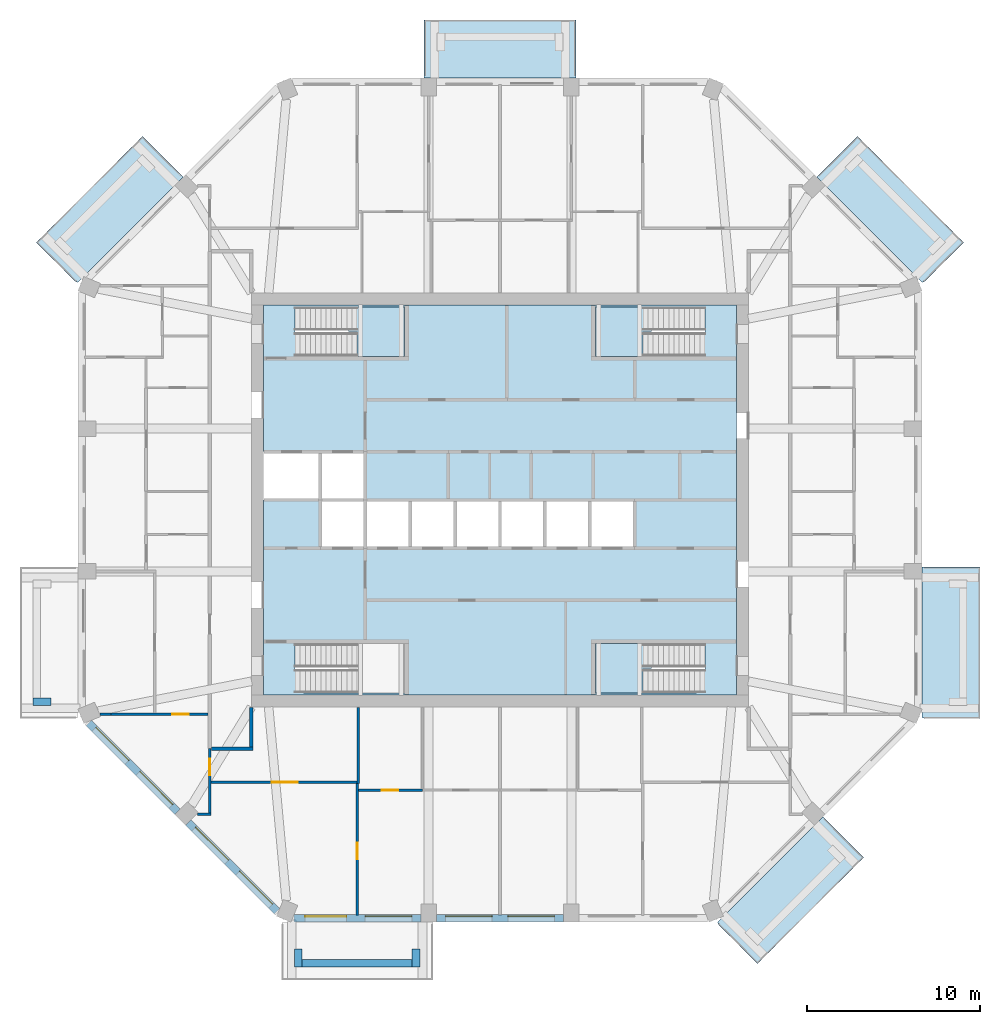
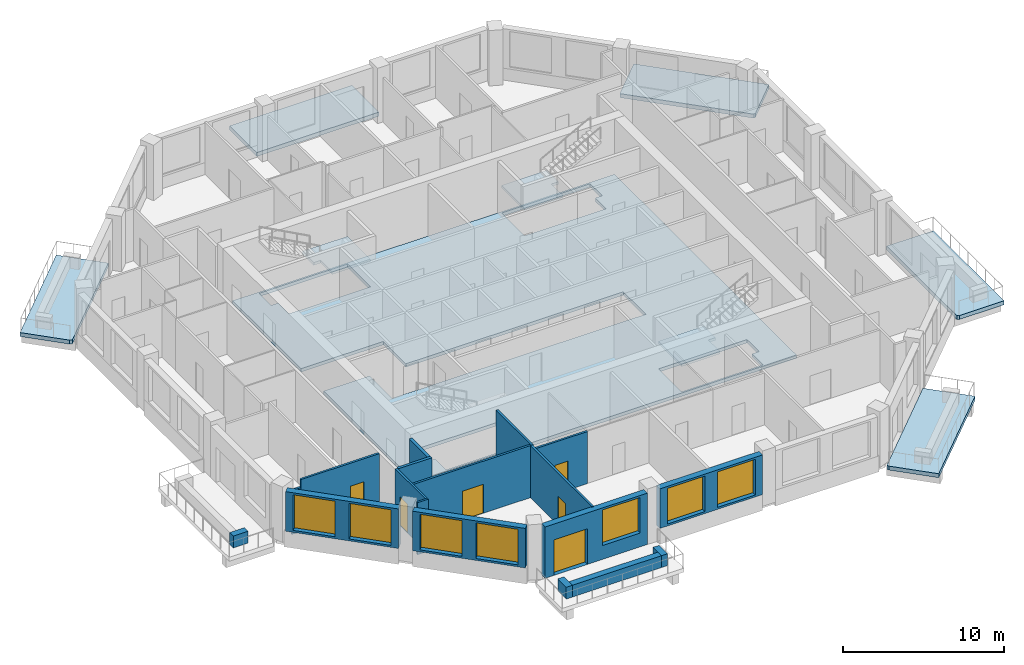
# One storey, part 2 of 10: 18 walls, 9 slabs, 7 windows, 6 doors, 13 openings, 3 elements without a shape of their own.
"""IFC4 building model written with IfcOpenShell, lengths in metres."""

import ifcopenshell
import ifcopenshell.guid

model = None  # the IFC model being written
_history = None  # IfcOwnerHistory: only IFC2X3 demands one
_inside = {}  # id of a spatial element -> (the spatial element, [elements in it])
_under = {}  # id of a project, library or spatial element -> (it, [spatial elements below it])
_declared = {}  # id of a project -> (the project, [libraries it declares])
_typed = {}  # id of a type object -> (the type object, [elements of that type])
_made_of = {}  # id of a material, layer set ... -> (it, [elements and type objects made of it])


def new_model(schema):
    """Start an empty IFC model of exactly this schema.

    Asked for "IFC4X3", IfcOpenShell would pick the latest addendum, in which some entities
    have other attributes; the version numbers below select the first issue.
    IFC2X3 requires an IfcOwnerHistory on every rooted entity: one is made here for all.
    """
    global model, _history
    if schema == "IFC4X3":
        model = ifcopenshell.file(schema_version=(4, 3, 0, 0))
    else:
        model = ifcopenshell.file(schema=schema)
    _inside.clear()
    _under.clear()
    _declared.clear()
    _typed.clear()
    _made_of.clear()
    _history = None
    if model.schema == "IFC2X3":
        org = make("IfcOrganization", Name="unknown")
        user = make(
            "IfcPersonAndOrganization",
            ThePerson=make("IfcPerson", FamilyName="unknown"),
            TheOrganization=org,
        )
        app = make(
            "IfcApplication",
            ApplicationDeveloper=org,
            Version="unknown",
            ApplicationFullName="unknown",
            ApplicationIdentifier="unknown",
        )
        _history = make(
            "IfcOwnerHistory",
            OwningUser=user,
            OwningApplication=app,
            ChangeAction="ADDED",
            CreationDate=0,
        )
    return model


def make(cls, **values):
    """One entity of the class cls with the attributes given. An attribute that is None is left unset."""
    return model.create_entity(
        cls, **{name: value for name, value in values.items() if value is not None}
    )


def rooted(cls, **values):
    """An entity with a GlobalId (a new one), such as an element, a storey or a relation."""
    return make(cls, GlobalId=ifcopenshell.guid.new(), OwnerHistory=_history, **values)


def si_unit(unit_type, name, prefix=None):
    """IfcSIUnit, for example si_unit("LENGTHUNIT", "METRE", prefix="MILLI")."""
    return make("IfcSIUnit", UnitType=unit_type, Prefix=prefix, Name=name)


def assignment(units):
    """IfcUnitAssignment: the units of a project."""
    return None if units is None else make("IfcUnitAssignment", Units=units)


def point(xyz):
    """IfcCartesianPoint."""
    return None if xyz is None else make("IfcCartesianPoint", Coordinates=xyz)


def direction(xyz):
    """IfcDirection."""
    return None if xyz is None else make("IfcDirection", DirectionRatios=xyz)


def frame(location, z_axis=None, x_axis=None):
    """IfcAxis2Placement3D, a coordinate frame: its origin and axes. An axis left out is left unset."""
    return make(
        "IfcAxis2Placement3D",
        Location=point(location),
        Axis=direction(z_axis),
        RefDirection=direction(x_axis),
    )


def frame_2d(location, x_axis=None):
    """IfcAxis2Placement2D, a coordinate frame in the plane: its origin and x axis."""
    return make(
        "IfcAxis2Placement2D", Location=point(location), RefDirection=direction(x_axis)
    )


def origin():
    """The frame at (0, 0, 0) with its axes left unset."""
    return frame((0.0, 0.0, 0.0))


def place(relative_to, where):
    """IfcLocalPlacement: puts the frame where relative to a parent placement (None: the world)."""
    return make(
        "IfcLocalPlacement", PlacementRelTo=relative_to, RelativePlacement=where
    )


def context(
    kind, dimensions, precision=None, world=None, true_north=None, identifier=None
):
    """IfcGeometricRepresentationContext, for example the 3D "Model" context."""
    return make(
        "IfcGeometricRepresentationContext",
        ContextIdentifier=identifier,
        ContextType=kind,
        CoordinateSpaceDimension=dimensions,
        Precision=precision,
        WorldCoordinateSystem=world,
        TrueNorth=true_north,
    )


def subcontext(parent, identifier, kind, view, scale=None):
    """IfcGeometricRepresentationSubContext, for example "Body" below "Model"."""
    return make(
        "IfcGeometricRepresentationSubContext",
        ContextIdentifier=identifier,
        ContextType=kind,
        ParentContext=parent,
        TargetScale=scale,
        TargetView=view,
    )


def project(units=None, contexts=None):
    """IfcProject with its units and contexts."""
    return rooted(
        "IfcProject",
        Name="project",
        RepresentationContexts=contexts,
        UnitsInContext=assignment(units),
    )


def spatial(cls, under=None, at=None, **own):
    """A site, building, storey or space (cls), placed at a placement, below another one or the project."""
    s = rooted(cls, ObjectPlacement=at, **own)
    if under is not None:
        _under.setdefault(under.id(), (under, []))[1].append(s)
    return s


def polyline(points):
    """IfcPolyline through the points."""
    return make("IfcPolyline", Points=[point(p) for p in points])


def profile(cls, at=None, kind="AREA", **sizes):
    """A parametric profile (cls). Its sizes go by their IFC names, for example OverallWidth=200.0."""
    return make(cls, ProfileType=kind, Position=at, **sizes)


def rectangle(**sizes):
    """IfcRectangleProfileDef."""
    return profile("IfcRectangleProfileDef", **sizes)


def outline(outer, holes=None, kind="AREA"):
    """IfcArbitraryClosedProfileDef: a profile drawn as a closed curve; with holes, ...WithVoids."""
    if holes is None:
        return make("IfcArbitraryClosedProfileDef", ProfileType=kind, OuterCurve=outer)
    return make(
        "IfcArbitraryProfileDefWithVoids",
        ProfileType=kind,
        OuterCurve=outer,
        InnerCurves=holes,
    )


def extrude(swept, where, along, depth):
    """IfcExtrudedAreaSolid: the profile swept, set in the frame where, extruded along a direction by depth."""
    return make(
        "IfcExtrudedAreaSolid",
        SweptArea=swept,
        Position=where,
        ExtrudedDirection=direction(along),
        Depth=depth,
    )


def shape(context_of_items, identifier, shape_type, items):
    """IfcShapeRepresentation: the items that make up one representation, for example the "Body"."""
    return make(
        "IfcShapeRepresentation",
        ContextOfItems=context_of_items,
        RepresentationIdentifier=identifier,
        RepresentationType=shape_type,
        Items=items,
    )


def material(Name=None, Category=None):
    """IfcMaterial."""
    return make("IfcMaterial", Name=Name, Category=Category)


def layer(
    of_material, thickness, ventilated=None, Name=None, Category=None, Priority=None
):
    """IfcMaterialLayer: one layer of a wall or slab, of a material (None: an air gap)."""
    return make(
        "IfcMaterialLayer",
        Material=of_material,
        LayerThickness=thickness,
        IsVentilated=ventilated,
        Name=Name,
        Category=Category,
        Priority=Priority,
    )


def layer_set(layers, Name=None):
    """IfcMaterialLayerSet."""
    return make("IfcMaterialLayerSet", MaterialLayers=layers, LayerSetName=Name)


def made_of(thing, what):
    """Note that an element or type object is made of a material, layer set ...; save() writes the relation."""
    if what is not None:
        _made_of.setdefault(what.id(), (what, []))[1].append(thing)
    return thing


def type_object(cls, material=None, **own):
    """A type object (cls), such as IfcWallType, which elements share."""
    return made_of(rooted(cls, **own), material)


def element(
    cls,
    number,
    at=None,
    inside=None,
    cuts=None,
    type_object=None,
    material=None,
    context=None,
    identifier="Body",
    shape_type=None,
    held_by="IfcProductDefinitionShape",
    body=None,
    shapes=None,
    **own,
):
    """One element of the class cls, such as IfcWall. Its Tag is "e" and its number.

    at: its placement. inside: the storey or other place that contains it. cuts: it is an
    opening in that element (IfcRelVoidsElement). A single representation is given by context,
    identifier, shape_type and body (its items); several are given by shapes. held_by: the class
    of the entity that holds the representations. save() writes the other relations.
    """
    e = rooted(cls, Tag="e%d" % number, ObjectPlacement=at, **own)
    if body is not None:
        shapes = [shape(context, identifier, shape_type, body)]
    if shapes is not None:
        e.Representation = make(held_by, Representations=shapes)
    if inside is not None:
        _inside.setdefault(inside.id(), (inside, []))[1].append(e)
    if cuts is not None:
        rooted(
            "IfcRelVoidsElement", RelatingBuildingElement=cuts, RelatedOpeningElement=e
        )
    if type_object is not None:
        _typed.setdefault(type_object.id(), (type_object, []))[1].append(e)
    return made_of(e, material)


def fill(opening, filler):
    """IfcRelFillsElement: the door or window that sits in an opening."""
    return rooted(
        "IfcRelFillsElement",
        RelatingOpeningElement=opening,
        RelatedBuildingElement=filler,
    )


def aggregate(whole, parts):
    """IfcRelAggregates: a whole, such as a stair, and the parts it consists of."""
    return rooted("IfcRelAggregates", RelatingObject=whole, RelatedObjects=parts)


def save(model, path):
    """Write the relations noted so far, then the file.

    IfcRelAggregates (storeys below a building ...), IfcRelContainedInSpatialStructure (elements
    in a storey), IfcRelDefinesByType, IfcRelAssociatesMaterial and IfcRelDeclares: one each for
    every whole, place, type object, material and project.
    """
    for whole, parts in _under.values():
        aggregate(whole, parts)
    for where, things in _inside.values():
        rooted(
            "IfcRelContainedInSpatialStructure",
            RelatedElements=things,
            RelatingStructure=where,
        )
    for kind, things in _typed.values():
        rooted("IfcRelDefinesByType", RelatedObjects=things, RelatingType=kind)
    for what, things in _made_of.values():
        rooted("IfcRelAssociatesMaterial", RelatedObjects=things, RelatingMaterial=what)
    for by, libraries in _declared.values():
        rooted("IfcRelDeclares", RelatingContext=by, RelatedDefinitions=libraries)
    model.write(path)


model = new_model("IFC4")

# Units and contexts
model_context = context("Model", 3, precision=1e-05, world=origin(), true_north=direction((0.0, 1.0)))
body_context = subcontext(model_context, "Body", "Model", "MODEL_VIEW")
ifc_project = project(units=[si_unit("LENGTHUNIT", "METRE"), si_unit("AREAUNIT", "SQUARE_METRE"), si_unit("VOLUMEUNIT", "CUBIC_METRE"), si_unit("PLANEANGLEUNIT", "RADIAN"), si_unit("MASSUNIT", "GRAM", prefix="KILO")], contexts=[model_context])

# Site, building, storey
site_placement = place(None, origin())
site = spatial("IfcSite", under=ifc_project, at=site_placement, CompositionType="ELEMENT")
building_placement = place(site_placement, origin())
building = spatial("IfcBuilding", under=site, at=building_placement, Name="Msitu Wima Residences", CompositionType="ELEMENT")
storey_placement = place(building_placement, frame((0.0, 0.0, 187.5)))
storey = spatial("IfcBuildingStorey", under=building, at=storey_placement, Name="L43", CompositionType="ELEMENT", Elevation=187.5)

# Slabs
ifc_material_1 = material(Name="Concrete C40/50", Category="concrete")
ifc_layer_1 = layer(ifc_material_1, 0.300048828125)
ifc_layer_set_1 = layer_set([ifc_layer_1], Name="Concrete C40/50")
slab_type_1 = type_object("IfcSlabType", Name="Balcony slab BS300", PredefinedType="FLOOR", material=ifc_layer_set_1)
slab_1_placement = place(storey_placement, frame((0.0, 0.0, -0.300048828125)))
element("IfcSlab", 1, at=slab_1_placement, inside=storey, type_object=slab_type_1, Name="Balcony E0 L43", PredefinedType="FLOOR", context=body_context, shape_type="SweptSolid", body=[
    extrude(outline(polyline([(24.449951171875, -12.111083984375), (24.449951171875, -12.111083984375), (24.449951171875, -4.587158203125), (24.449951171875, -4.587158203125), (24.449951171875, -3.88720703125), (27.800048828125, -3.88720703125), (27.800048828125, -12.661865234375), (24.603515625, -12.661865234375), (24.449951171875, -12.59814453125), (24.449951171875, -12.111083984375), (24.449951171875, -12.111083984375)])), origin(), (0.0, 0.0, 1.0), 0.300048828125),
])
slab_2_placement = place(storey_placement, frame((0.0, 0.0, -0.300048828125)))
element("IfcSlab", 2, at=slab_2_placement, inside=storey, type_object=slab_type_1, Name="Balcony NE0 L43", PredefinedType="FLOOR", context=body_context, shape_type="SweptSolid", body=[
    extrude(outline(polyline([(24.10546875, 12.942626953125), (24.10546875, 12.942626953125), (18.347412109375, 18.700927734375), (20.716064453125, 21.069580078125), (26.86376953125, 14.922119140625), (24.603515625, 12.661865234375), (24.449951171875, 12.59814453125), (24.10546875, 12.942626953125), (24.10546875, 12.942626953125)])), origin(), (0.0, 0.0, 1.0), 0.300048828125),
])
slab_3_placement = place(storey_placement, frame((0.0, 0.0, -0.300048828125)))
element("IfcSlab", 3, at=slab_3_placement, inside=storey, type_object=slab_type_1, Name="Balcony N1 L43", PredefinedType="FLOOR", context=body_context, shape_type="SweptSolid", body=[
    extrude(outline(polyline([(3.687255859375, 24.449951171875), (-3.687255859375, 24.449951171875), (-4.38720703125, 24.449951171875), (-4.38720703125, 27.800048828125), (4.38720703125, 27.800048828125), (4.38720703125, 24.449951171875), (3.687255859375, 24.449951171875)])), origin(), (0.0, 0.0, 1.0), 0.300048828125),
])
slab_4_placement = place(storey_placement, frame((0.0, 0.0, -0.300048828125)))
element("IfcSlab", 4, at=slab_4_placement, inside=storey, type_object=slab_type_1, Name="Balcony NW1 L43", PredefinedType="FLOOR", context=body_context, shape_type="SweptSolid", body=[
    extrude(outline(polyline([(-24.10546875, 12.942626953125), (-24.10546875, 12.942626953125), (-24.449951171875, 12.59814453125), (-24.603515625, 12.661865234375), (-26.86376953125, 14.922119140625), (-20.716064453125, 21.069580078125), (-18.347412109375, 18.700927734375), (-24.10546875, 12.942626953125), (-24.10546875, 12.942626953125)])), origin(), (0.0, 0.0, 1.0), 0.300048828125),
])
slab_5_placement = place(storey_placement, frame((0.0, 0.0, -0.300048828125)))
element("IfcSlab", 5, at=slab_5_placement, inside=storey, type_object=slab_type_1, Name="Balcony SE0 L43", PredefinedType="FLOOR", context=body_context, shape_type="SweptSolid", body=[
    extrude(outline(polyline([(12.942626953125, -24.10546875), (12.942626953125, -24.10546875), (18.700927734375, -18.347412109375), (21.069580078125, -20.716064453125), (14.922119140625, -26.86376953125), (12.661865234375, -24.603515625), (12.59814453125, -24.449951171875), (12.942626953125, -24.10546875), (12.942626953125, -24.10546875)])), origin(), (0.0, 0.0, 1.0), 0.300048828125),
])
ifc_layer_2 = layer(ifc_material_1, 0.25)
ifc_layer_set_2 = layer_set([ifc_layer_2], Name="Concrete C40/50")
slab_type_2 = type_object("IfcSlabType", Name="Core floor CF250", PredefinedType="FLOOR", material=ifc_layer_set_2)
slab_6_placement = place(storey_placement, frame((0.0, 0.0, -0.25)))
element("IfcSlab", 6, at=slab_6_placement, inside=storey, type_object=slab_type_2, Name="Core floor", PredefinedType="FLOOR", context=body_context, shape_type="SweptSolid", body=[
    extrude(outline(polyline([(-13.699951171875, 11.300048828125), (-13.699951171875, 2.800048828125), (-10.39990234375, 2.800048828125), (-7.800048828125, 2.800048828125), (-7.800048828125, 0.0), (-5.199951171875, 0.0), (-2.60009765625, 0.0), (0.0, 0.0), (2.60009765625, 0.0), (5.199951171875, 0.0), (7.800048828125, 0.0), (7.800048828125, -2.800048828125), (5.199951171875, -2.800048828125), (2.60009765625, -2.800048828125), (0.0, -2.800048828125), (-2.60009765625, -2.800048828125), (-5.199951171875, -2.800048828125), (-7.800048828125, -2.800048828125), (-10.39990234375, -2.800048828125), (-10.39990234375, 0.0), (-13.699951171875, 0.0), (-13.699951171875, -11.300048828125), (13.699951171875, -11.300048828125), (13.699951171875, 11.300048828125), (-13.699951171875, 11.300048828125)]), holes=[polyline([(-11.375, -11.175048828125), (-11.375, -9.824951171875), (-11.87451171875, -9.824951171875), (-11.87451171875, -8.324951171875), (-5.52490234375, -8.324951171875), (-5.52490234375, -11.175048828125), (-11.375, -11.175048828125)]), polyline([(-11.375, 8.324951171875), (-11.375, 9.675048828125), (-11.87451171875, 9.675048828125), (-11.87451171875, 11.175048828125), (-5.52490234375, 11.175048828125), (-5.52490234375, 8.324951171875), (-11.375, 8.324951171875)]), polyline([(11.375, -9.824951171875), (11.375, -11.175048828125), (5.52490234375, -11.175048828125), (5.52490234375, -8.324951171875), (11.87451171875, -8.324951171875), (11.87451171875, -9.824951171875), (11.375, -9.824951171875)]), polyline([(11.375, 9.675048828125), (11.375, 8.324951171875), (5.52490234375, 8.324951171875), (5.52490234375, 11.175048828125), (11.87451171875, 11.175048828125), (11.87451171875, 9.675048828125), (11.375, 9.675048828125)])]), origin(), (0.0, 0.0, 1.0), 0.25),
])

# Stair, slab
stair_type = type_object("IfcStairType", Name="Exit stair ES1615-135", PredefinedType="HALF_TURN_STAIR", material=ifc_material_1)
stair_1_placement = place(storey_placement, origin())
stair_1 = element("IfcStair", 7, at=stair_1_placement, inside=storey, type_object=stair_type, Name="Exit stair 1", PredefinedType="HALF_TURN_STAIR")
ifc_layer_3 = layer(ifc_material_1, 0.199951171875)
ifc_layer_set_3 = layer_set([ifc_layer_3], Name="Concrete C40/50")
slab_type_3 = type_object("IfcSlabType", Name="Stair landing SL200", PredefinedType="LANDING", material=ifc_layer_set_3)
slab_7_placement = place(storey_placement, frame((0.0, 0.0, 1.89990234375)))
slab_7 = element("IfcSlab", 8, at=slab_7_placement, type_object=slab_type_3, Name="S1 landing 1", PredefinedType="LANDING", context=body_context, shape_type="SweptSolid", body=[
    extrude(outline(polyline([(-5.52490234375, 8.324951171875), (-8.275390625, 8.324951171875), (-8.275390625, 9.75), (-8.77490234375, 9.75), (-8.77490234375, 11.175048828125), (-5.52490234375, 11.175048828125), (-5.52490234375, 8.324951171875)])), origin(), (0.0, 0.0, 1.0), 0.2001953125),
])
aggregate(stair_1, [slab_7])

stair_2_placement = place(storey_placement, origin())
stair_2 = element("IfcStair", 9, at=stair_2_placement, inside=storey, type_object=stair_type, Name="Exit stair 3", PredefinedType="HALF_TURN_STAIR")
slab_8_placement = place(storey_placement, frame((0.0, 0.0, 1.89990234375)))
slab_8 = element("IfcSlab", 10, at=slab_8_placement, type_object=slab_type_3, Name="S3 landing 1", PredefinedType="LANDING", context=body_context, shape_type="SweptSolid", body=[
    extrude(outline(polyline([(5.52490234375, 8.324951171875), (8.275390625, 8.324951171875), (8.275390625, 9.75), (8.77490234375, 9.75), (8.77490234375, 11.175048828125), (5.52490234375, 11.175048828125), (5.52490234375, 8.324951171875)])), origin(), (0.0, 0.0, 1.0), 0.2001953125),
])
aggregate(stair_2, [slab_8])

stair_3_placement = place(storey_placement, origin())
stair_3 = element("IfcStair", 11, at=stair_3_placement, inside=storey, type_object=stair_type, Name="Exit stair 4", PredefinedType="HALF_TURN_STAIR")
slab_9_placement = place(storey_placement, frame((0.0, 0.0, 1.89990234375)))
slab_9 = element("IfcSlab", 12, at=slab_9_placement, type_object=slab_type_3, Name="S4 landing 1", PredefinedType="LANDING", context=body_context, shape_type="SweptSolid", body=[
    extrude(outline(polyline([(5.52490234375, -11.175048828125), (8.275390625, -11.175048828125), (8.275390625, -9.75), (8.77490234375, -9.75), (8.77490234375, -8.324951171875), (5.52490234375, -8.324951171875), (5.52490234375, -11.175048828125)])), origin(), (0.0, 0.0, 1.0), 0.2001953125),
])
aggregate(stair_3, [slab_9])

# Walls
ifc_material_2 = material(Name="Facing brick")
ifc_layer_4 = layer(ifc_material_2, 0.06494140625, Name="Facing brick")
ifc_layer_5 = layer(ifc_material_1, 0.156005859375, Name="Concrete C40/50")
ifc_material_3 = material(Name="Waterproofing membrane")
ifc_layer_6 = layer(ifc_material_3, 0.00390625, Name="Waterproofing membrane")
ifc_material_4 = material(Name="Planting soil and planting")
ifc_layer_7 = layer(ifc_material_4, 0.22509765625, Name="Planting soil and planting")
ifc_layer_set_4 = layer_set([ifc_layer_4, ifc_layer_5, ifc_layer_6, ifc_layer_7], Name="Concrete C40/50")
wall_type_1 = type_object("IfcWallType", Name="Balcony planter PLANTER PL450", PredefinedType="USERDEFINED", material=ifc_layer_set_4)
wall_1_placement = place(storey_placement, frame((-26.0, -11.686767578125, 0.0), z_axis=(0.0, 0.0, 1.0), x_axis=(-1.0, 0.0, 0.0)))
element("IfcWall", 13, at=wall_1_placement, inside=storey, type_object=wall_type_1, Name="Balcony planter W2 L43", ObjectType="PLANTER", PredefinedType="USERDEFINED", context=body_context, shape_type="SweptSolid", body=[
    extrude(rectangle(XDim=1.050048828125, YDim=0.449951171875, at=frame_2d((0.52490234375, 0.0))), origin(), (0.0, 0.0, 1.0), 0.89990234375),
])
wall_2_placement = place(storey_placement, frame((-11.461669921875, -26.824951171875, 0.0), z_axis=(0.0, 0.0, 1.0), x_axis=(1.0, 0.0, 0.0)))
element("IfcWall", 14, at=wall_2_placement, inside=storey, type_object=wall_type_1, Name="Balcony planter S0 L43", ObjectType="PLANTER", PredefinedType="USERDEFINED", context=body_context, shape_type="SweptSolid", body=[
    extrude(rectangle(XDim=6.37451171875, YDim=0.449951171875, at=frame_2d((3.187255859375, 0.0))), origin(), (0.0, 0.0, 1.0), 0.89990234375),
])
for number, where, z_axis, x_axis, name in (
    (15, (-11.686767578125, -26.0, 0.0), (0.0, 0.0, 1.0), (0.0, -1.0, 0.0), "Balcony planter S0 L43"),
    (16, (-4.8623046875, -26.0, 0.0), (0.0, 0.0, 1.0), (0.0, -1.0, 0.0), "Balcony planter S0 L43"),
):
    element("IfcWall", number, at=place(storey_placement, frame(where, z_axis=z_axis, x_axis=x_axis)), inside=storey, type_object=wall_type_1, Name=name, ObjectType="PLANTER", PredefinedType="USERDEFINED", context=body_context, shape_type="SweptSolid", body=[
        extrude(rectangle(XDim=1.050048828125, YDim=0.449951171875, at=frame_2d((0.52490234375, 0.0))), origin(), (0.0, 0.0, 1.0), 0.89990234375),
    ])

# Wall, openings, windows
ifc_material_5 = material(Name="Brick (red buff mix)", Category="masonry")
ifc_layer_8 = layer(ifc_material_5, 0.449951171875)
ifc_layer_set_5 = layer_set([ifc_layer_8], Name="Brick (red buff mix)")
wall_type_2 = type_object("IfcWallType", Name="Brick infill wall BW450", PredefinedType="SOLIDWALL", material=ifc_layer_set_5)
wall_3_placement = place(storey_placement, frame((-23.814697265625, -12.915283203125, 0.89990234375), z_axis=(0.0, 0.0, 1.0), x_axis=(0.707106781187, -0.707106781187, 0.0)))
wall_3 = element("IfcWall", 17, at=wall_3_placement, inside=storey, type_object=wall_type_2, Name="Brick infill wall L43 SW0", PredefinedType="SOLIDWALL", context=body_context, shape_type="SweptSolid", body=[
    extrude(rectangle(XDim=7.257080078125, YDim=0.449951171875, at=frame_2d((3.62841796875, 0.0))), origin(), (0.0, 0.0, 1.0), 3.0),
])
opening_1_placement = place(wall_3_placement, frame((0.478515625, 0.0, 0.14990234375)))
opening_1 = element("IfcOpeningElement", 18, at=opening_1_placement, cuts=wall_3, Name="Opening W43-45.025", PredefinedType="OPENING", context=body_context, shape_type="SweptSolid", body=[
    extrude(rectangle(XDim=2.699951171875, YDim=2.699951171875, at=frame_2d((1.35009765625, 1.35009765625))), frame((0.0, 0.23486328125, 0.0), z_axis=(0.0, -1.0, 0.0), x_axis=(1.0, 0.0, 0.0)), (0.0, 0.0, 1.0), 0.469970703125),
])
opening_2_placement = place(wall_3_placement, frame((4.07861328125, 0.0, 0.14990234375)))
opening_2 = element("IfcOpeningElement", 19, at=opening_2_placement, cuts=wall_3, Name="Opening W43-45.026", PredefinedType="OPENING", context=body_context, shape_type="SweptSolid", body=[
    extrude(rectangle(XDim=2.699951171875, YDim=2.699951171875, at=frame_2d((1.35009765625, 1.35009765625))), frame((0.0, 0.23486328125, 0.0), z_axis=(0.0, -1.0, 0.0), x_axis=(1.0, 0.0, 0.0)), (0.0, 0.0, 1.0), 0.469970703125),
])
ifc_material_6 = material(Name="Anodised aluminium, bronze finish, clear low-emissivity double glazing", Category="aluminium")
window_type = type_object("IfcWindowType", Name="Window W2700x2700", PartitioningType="DOUBLE_PANEL_VERTICAL", PredefinedType="WINDOW", material=ifc_material_6)
window_1_placement = place(opening_1_placement, origin())
window_1 = element("IfcWindow", 20, at=window_1_placement, inside=storey, type_object=window_type, Name="Window L43 SW0.1", OverallHeight=2.699951171875, OverallWidth=2.699951171875, PartitioningType="SINGLE_PANEL", PredefinedType="WINDOW", context=body_context, shape_type="SweptSolid", body=[
    extrude(rectangle(XDim=2.699951171875, YDim=2.699951171875, at=frame_2d((1.35009765625, 1.35009765625))), frame((0.0, 0.135009765625, 0.0), z_axis=(0.0, -1.0, 0.0), x_axis=(1.0, 0.0, 0.0)), (0.0, 0.0, 1.0), 0.06005859375),
])
fill(opening_1, window_1)
window_2_placement = place(opening_2_placement, origin())
window_2 = element("IfcWindow", 21, at=window_2_placement, inside=storey, type_object=window_type, Name="Window L43 SW0.2", OverallHeight=2.699951171875, OverallWidth=2.699951171875, PartitioningType="SINGLE_PANEL", PredefinedType="WINDOW", context=body_context, shape_type="SweptSolid", body=[
    extrude(rectangle(XDim=2.699951171875, YDim=2.699951171875, at=frame_2d((1.35009765625, 1.35009765625))), frame((0.0, 0.135009765625, 0.0), z_axis=(0.0, -1.0, 0.0), x_axis=(1.0, 0.0, 0.0)), (0.0, 0.0, 1.0), 0.06005859375),
])
fill(opening_2, window_2)

wall_4_placement = place(storey_placement, frame((-18.046875, -18.68310546875, 0.89990234375), z_axis=(0.0, 0.0, 1.0), x_axis=(0.707106781187, -0.707106781187, 0.0)))
wall_4 = element("IfcWall", 22, at=wall_4_placement, inside=storey, type_object=wall_type_2, Name="Brick infill wall L43 SW1", PredefinedType="SOLIDWALL", context=body_context, shape_type="SweptSolid", body=[
    extrude(rectangle(XDim=7.257080078125, YDim=0.449951171875, at=frame_2d((3.62841796875, 0.0))), origin(), (0.0, 0.0, 1.0), 3.0),
])
opening_3_placement = place(wall_4_placement, frame((0.478515625, 0.0, 0.14990234375)))
opening_3 = element("IfcOpeningElement", 23, at=opening_3_placement, cuts=wall_4, Name="Opening W43-45.027", PredefinedType="OPENING", context=body_context, shape_type="SweptSolid", body=[
    extrude(rectangle(XDim=2.699951171875, YDim=2.699951171875, at=frame_2d((1.35009765625, 1.35009765625))), frame((0.0, 0.23486328125, 0.0), z_axis=(0.0, -1.0, 0.0), x_axis=(1.0, 0.0, 0.0)), (0.0, 0.0, 1.0), 0.469970703125),
])
opening_4_placement = place(wall_4_placement, frame((4.07861328125, 0.0, 0.14990234375)))
opening_4 = element("IfcOpeningElement", 24, at=opening_4_placement, cuts=wall_4, Name="Opening W43-45.028", PredefinedType="OPENING", context=body_context, shape_type="SweptSolid", body=[
    extrude(rectangle(XDim=2.699951171875, YDim=2.699951171875, at=frame_2d((1.35009765625, 1.35009765625))), frame((0.0, 0.23486328125, 0.0), z_axis=(0.0, -1.0, 0.0), x_axis=(1.0, 0.0, 0.0)), (0.0, 0.0, 1.0), 0.469970703125),
])
window_3_placement = place(opening_3_placement, origin())
window_3 = element("IfcWindow", 25, at=window_3_placement, inside=storey, type_object=window_type, Name="Window L43 SW1.1", OverallHeight=2.699951171875, OverallWidth=2.699951171875, PartitioningType="SINGLE_PANEL", PredefinedType="WINDOW", context=body_context, shape_type="SweptSolid", body=[
    extrude(rectangle(XDim=2.699951171875, YDim=2.699951171875, at=frame_2d((1.35009765625, 1.35009765625))), frame((0.0, 0.135009765625, 0.0), z_axis=(0.0, -1.0, 0.0), x_axis=(1.0, 0.0, 0.0)), (0.0, 0.0, 1.0), 0.06005859375),
])
fill(opening_3, window_3)
window_4_placement = place(opening_4_placement, origin())
window_4 = element("IfcWindow", 26, at=window_4_placement, inside=storey, type_object=window_type, Name="Window L43 SW1.2", OverallHeight=2.699951171875, OverallWidth=2.699951171875, PartitioningType="SINGLE_PANEL", PredefinedType="WINDOW", context=body_context, shape_type="SweptSolid", body=[
    extrude(rectangle(XDim=2.699951171875, YDim=2.699951171875, at=frame_2d((1.35009765625, 1.35009765625))), frame((0.0, 0.135009765625, 0.0), z_axis=(0.0, -1.0, 0.0), x_axis=(1.0, 0.0, 0.0)), (0.0, 0.0, 1.0), 0.06005859375),
])
fill(opening_4, window_4)

# Wall, openings, door, window
wall_5_placement = place(storey_placement, frame((-11.9248046875, -24.22509765625, 0.0), z_axis=(0.0, 0.0, 1.0), x_axis=(1.0, 0.0, 0.0)))
wall_5 = element("IfcWall", 27, at=wall_5_placement, inside=storey, type_object=wall_type_2, Name="Brick infill wall L43 S0", PredefinedType="SOLIDWALL", context=body_context, shape_type="SweptSolid", body=[
    extrude(rectangle(XDim=7.337646484375, YDim=0.449951171875, at=frame_2d((3.6689453125, 0.0))), origin(), (0.0, 0.0, 1.0), 3.89990234375),
])
opening_5_placement = place(wall_5_placement, frame((0.63427734375, 0.0, 0.0)))
opening_5 = element("IfcOpeningElement", 28, at=opening_5_placement, cuts=wall_5, Name="Opening D43-45.005", PredefinedType="OPENING", context=body_context, shape_type="SweptSolid", body=[
    extrude(rectangle(XDim=2.39990234375, YDim=2.699951171875, at=frame_2d((1.199951171875, 1.35009765625))), frame((0.0, 0.23486328125, 0.0), z_axis=(0.0, -1.0, 0.0), x_axis=(1.0, 0.0, 0.0)), (0.0, 0.0, 1.0), 0.469970703125),
])
opening_6_placement = place(wall_5_placement, frame((4.11865234375, 0.0, 1.050048828125)))
opening_6 = element("IfcOpeningElement", 29, at=opening_6_placement, cuts=wall_5, Name="Opening W43-45.017", PredefinedType="OPENING", context=body_context, shape_type="SweptSolid", body=[
    extrude(rectangle(XDim=2.699951171875, YDim=2.699951171875, at=frame_2d((1.35009765625, 1.35009765625))), frame((0.0, 0.23486328125, 0.0), z_axis=(0.0, -1.0, 0.0), x_axis=(1.0, 0.0, 0.0)), (0.0, 0.0, 1.0), 0.469970703125),
])
door_type_1 = type_object("IfcDoorType", Name="Balcony door D2400x2700", OperationType="SLIDING_TO_LEFT", PredefinedType="DOOR", material=ifc_material_6)
door_1_placement = place(opening_5_placement, origin())
door_1 = element("IfcDoor", 30, at=door_1_placement, inside=storey, type_object=door_type_1, Name="Balcony door L43 S0", OperationType="SINGLE_SWING_LEFT", OverallHeight=2.699951171875, OverallWidth=2.39990234375, PredefinedType="DOOR", context=body_context, shape_type="SweptSolid", body=[
    extrude(rectangle(XDim=2.39990234375, YDim=2.699951171875, at=frame_2d((1.199951171875, 1.35009765625))), frame((0.0, 0.1298828125, 0.0), z_axis=(0.0, -1.0, 0.0), x_axis=(1.0, 0.0, 0.0)), (0.0, 0.0, 1.0), 0.050048828125),
])
fill(opening_5, door_1)
window_5_placement = place(opening_6_placement, origin())
window_5 = element("IfcWindow", 31, at=window_5_placement, inside=storey, type_object=window_type, Name="Window L43 S0.2", OverallHeight=2.699951171875, OverallWidth=2.699951171875, PartitioningType="SINGLE_PANEL", PredefinedType="WINDOW", context=body_context, shape_type="SweptSolid", body=[
    extrude(rectangle(XDim=2.699951171875, YDim=2.699951171875, at=frame_2d((1.35009765625, 1.35009765625))), frame((0.0, 0.135009765625, 0.0), z_axis=(0.0, -1.0, 0.0), x_axis=(1.0, 0.0, 0.0)), (0.0, 0.0, 1.0), 0.06005859375),
])
fill(opening_6, window_5)

# Wall, openings, windows
wall_6_placement = place(storey_placement, frame((-3.687255859375, -24.22509765625, 0.89990234375), z_axis=(0.0, 0.0, 1.0), x_axis=(1.0, 0.0, 0.0)))
wall_6 = element("IfcWall", 32, at=wall_6_placement, inside=storey, type_object=wall_type_2, Name="Brick infill wall L43 S1", PredefinedType="SOLIDWALL", context=body_context, shape_type="SweptSolid", body=[
    extrude(rectangle(XDim=7.37451171875, YDim=0.449951171875, at=frame_2d((3.687255859375, 0.0))), origin(), (0.0, 0.0, 1.0), 3.0),
])
opening_7_placement = place(wall_6_placement, frame((0.537353515625, 0.0, 0.14990234375)))
opening_7 = element("IfcOpeningElement", 33, at=opening_7_placement, cuts=wall_6, Name="Opening W43-45.018", PredefinedType="OPENING", context=body_context, shape_type="SweptSolid", body=[
    extrude(rectangle(XDim=2.699951171875, YDim=2.699951171875, at=frame_2d((1.35009765625, 1.35009765625))), frame((0.0, 0.23486328125, 0.0), z_axis=(0.0, -1.0, 0.0), x_axis=(1.0, 0.0, 0.0)), (0.0, 0.0, 1.0), 0.469970703125),
])
opening_8_placement = place(wall_6_placement, frame((4.13720703125, 0.0, 0.14990234375)))
opening_8 = element("IfcOpeningElement", 34, at=opening_8_placement, cuts=wall_6, Name="Opening W43-45.019", PredefinedType="OPENING", context=body_context, shape_type="SweptSolid", body=[
    extrude(rectangle(XDim=2.699951171875, YDim=2.699951171875, at=frame_2d((1.35009765625, 1.35009765625))), frame((0.0, 0.23486328125, 0.0), z_axis=(0.0, -1.0, 0.0), x_axis=(1.0, 0.0, 0.0)), (0.0, 0.0, 1.0), 0.469970703125),
])
window_6_placement = place(opening_7_placement, origin())
window_6 = element("IfcWindow", 35, at=window_6_placement, inside=storey, type_object=window_type, Name="Window L43 S1.1", OverallHeight=2.699951171875, OverallWidth=2.699951171875, PartitioningType="SINGLE_PANEL", PredefinedType="WINDOW", context=body_context, shape_type="SweptSolid", body=[
    extrude(rectangle(XDim=2.699951171875, YDim=2.699951171875, at=frame_2d((1.35009765625, 1.35009765625))), frame((0.0, 0.135009765625, 0.0), z_axis=(0.0, -1.0, 0.0), x_axis=(1.0, 0.0, 0.0)), (0.0, 0.0, 1.0), 0.06005859375),
])
fill(opening_7, window_6)
window_7_placement = place(opening_8_placement, origin())
window_7 = element("IfcWindow", 36, at=window_7_placement, inside=storey, type_object=window_type, Name="Window L43 S1.2", OverallHeight=2.699951171875, OverallWidth=2.699951171875, PartitioningType="SINGLE_PANEL", PredefinedType="WINDOW", context=body_context, shape_type="SweptSolid", body=[
    extrude(rectangle(XDim=2.699951171875, YDim=2.699951171875, at=frame_2d((1.35009765625, 1.35009765625))), frame((0.0, 0.135009765625, 0.0), z_axis=(0.0, -1.0, 0.0), x_axis=(1.0, 0.0, 0.0)), (0.0, 0.0, 1.0), 0.06005859375),
])
fill(opening_8, window_7)

# Walls
ifc_material_7 = material(Name="Plaster")
ifc_layer_9 = layer(ifc_material_7, 0.011962890625, Name="Plaster")
ifc_material_8 = material(Name="Concrete blockwork", Category="masonry")
ifc_layer_10 = layer(ifc_material_8, 0.176025390625, Name="Concrete blockwork")
ifc_layer_11 = layer(ifc_material_7, 0.011962890625, Name="Plaster")
ifc_layer_set_6 = layer_set([ifc_layer_9, ifc_layer_10, ifc_layer_11], Name="Concrete blockwork")
wall_type_3 = type_object("IfcWallType", Name="Corridor wall FW200", PredefinedType="PARTITIONING", material=ifc_layer_set_6)
wall_7_placement = place(storey_placement, frame((-16.699951171875, -14.39990234375, 0.0), z_axis=(0.0, 0.0, 1.0), x_axis=(1.0, 0.0, 0.0)))
element("IfcWall", 37, at=wall_7_placement, inside=storey, type_object=wall_type_3, Name="Corridor wall", PredefinedType="PARTITIONING", context=body_context, shape_type="SweptSolid", body=[
    extrude(rectangle(XDim=2.39990234375, YDim=0.199951171875, at=frame_2d((1.199951171875, 0.0))), origin(), (0.0, 0.0, 1.0), 3.949951171875),
])
wall_8_placement = place(storey_placement, frame((-14.39990234375, -14.300048828125, 0.0), z_axis=(0.0, 0.0, 1.0), x_axis=(0.0, 1.0, 0.0)))
element("IfcWall", 38, at=wall_8_placement, inside=storey, type_object=wall_type_3, Name="Corridor wall", PredefinedType="PARTITIONING", context=body_context, shape_type="SweptSolid", body=[
    extrude(rectangle(XDim=2.27001953125, YDim=0.199951171875, at=frame_2d((1.135009765625, 0.0))), origin(), (0.0, 0.0, 1.0), 3.949951171875),
])
ifc_layer_12 = layer(ifc_material_7, 0.011962890625, Name="Plaster")
ifc_layer_13 = layer(ifc_material_8, 0.1259765625, Name="Concrete blockwork")
ifc_layer_14 = layer(ifc_material_7, 0.011962890625, Name="Plaster")
ifc_layer_set_7 = layer_set([ifc_layer_12, ifc_layer_13, ifc_layer_14], Name="Concrete blockwork")
wall_type_4 = type_object("IfcWallType", Name="Partition PW150", PredefinedType="PARTITIONING", material=ifc_layer_set_7)
wall_9_placement = place(storey_placement, frame((-23.169677734375, -12.409912109375, 0.0), z_axis=(0.0, 0.0, 1.0), x_axis=(1.0, 0.0, 0.0)))
element("IfcWall", 39, at=wall_9_placement, inside=storey, type_object=wall_type_4, Name="Partition", PredefinedType="PARTITIONING", context=body_context, shape_type="SweptSolid", body=[
    extrude(rectangle(XDim=0.640380859375, YDim=0.14990234375, at=frame_2d((0.3203125, 0.0))), origin(), (0.0, 0.0, 1.0), 3.35009765625),
])

# Wall, opening, door
wall_10_placement = place(storey_placement, frame((-22.529296875, -12.409912109375, 0.0), z_axis=(0.0, 0.0, 1.0), x_axis=(1.0, 0.0, 0.0)))
wall_10 = element("IfcWall", 40, at=wall_10_placement, inside=storey, type_object=wall_type_4, Name="Partition", PredefinedType="PARTITIONING", context=body_context, shape_type="SweptSolid", body=[
    extrude(rectangle(XDim=5.62939453125, YDim=0.14990234375, at=frame_2d((2.814697265625, 0.0))), origin(), (0.0, 0.0, 1.0), 3.949951171875),
])
opening_9_placement = place(wall_10_placement, frame((3.5595703125, 0.0, 0.0)))
opening_9 = element("IfcOpeningElement", 41, at=opening_9_placement, cuts=wall_10, Name="Opening D43-45.030", PredefinedType="OPENING", context=body_context, shape_type="SweptSolid", body=[
    extrude(rectangle(XDim=0.949951171875, YDim=2.199951171875, at=frame_2d((0.47509765625, 1.10009765625))), frame((0.0, 0.0849609375, 0.0), z_axis=(0.0, -1.0, 0.0), x_axis=(1.0, 0.0, 0.0)), (0.0, 0.0, 1.0), 0.169921875),
])
ifc_material_9 = material(Name="Timber flush door", Category="wood")
door_type_2 = type_object("IfcDoorType", Name="Room door D12 950x2200", OperationType="SINGLE_SWING_LEFT", PredefinedType="DOOR", material=ifc_material_9)
door_2_placement = place(opening_9_placement, origin())
door_2 = element("IfcDoor", 42, at=door_2_placement, inside=storey, type_object=door_type_2, Name="Room door", OperationType="SINGLE_SWING_LEFT", OverallHeight=2.199951171875, OverallWidth=0.949951171875, PredefinedType="DOOR", context=body_context, shape_type="SweptSolid", body=[
    extrude(rectangle(XDim=0.949951171875, YDim=2.199951171875, at=frame_2d((0.47509765625, 1.10009765625))), frame((0.0, 0.02490234375, 0.0), z_axis=(0.0, -1.0, 0.0), x_axis=(1.0, 0.0, 0.0)), (0.0, 0.0, 1.0), 0.050048828125),
])
fill(opening_9, door_2)

# Wall
wall_11_placement = place(storey_placement, frame((-17.509521484375, -18.205810546875, 0.0), z_axis=(0.0, 0.0, 1.0), x_axis=(1.0, 0.0, 0.0)))
element("IfcWall", 43, at=wall_11_placement, inside=storey, type_object=wall_type_4, Name="Partition", PredefinedType="PARTITIONING", context=body_context, shape_type="SweptSolid", body=[
    extrude(rectangle(XDim=0.784423828125, YDim=0.14990234375, at=frame_2d((0.39208984375, 0.0))), origin(), (0.0, 0.0, 1.0), 3.949951171875),
])

# Wall, opening, door
wall_12_placement = place(storey_placement, frame((-16.800048828125, -18.130859375, 0.0), z_axis=(0.0, 0.0, 1.0), x_axis=(0.0, 1.0, 0.0)))
wall_12 = element("IfcWall", 44, at=wall_12_placement, inside=storey, type_object=wall_type_4, Name="Partition", PredefinedType="PARTITIONING", context=body_context, shape_type="SweptSolid", body=[
    extrude(rectangle(XDim=3.73095703125, YDim=0.14990234375, at=frame_2d((1.865478515625, 0.0))), origin(), (0.0, 0.0, 1.0), 3.949951171875),
])
opening_10_placement = place(wall_12_placement, frame((2.199951171875, 0.0, 0.0)))
opening_10 = element("IfcOpeningElement", 45, at=opening_10_placement, cuts=wall_12, Name="Opening D43-45.047", PredefinedType="OPENING", context=body_context, shape_type="SweptSolid", body=[
    extrude(rectangle(XDim=0.949951171875, YDim=2.199951171875, at=frame_2d((0.47509765625, 1.10009765625))), frame((0.0, 0.0849609375, 0.0), z_axis=(0.0, -1.0, 0.0), x_axis=(1.0, 0.0, 0.0)), (0.0, 0.0, 1.0), 0.169921875),
])
door_3_placement = place(opening_10_placement, origin())
door_3 = element("IfcDoor", 46, at=door_3_placement, inside=storey, type_object=door_type_2, Name="Room door", OperationType="SINGLE_SWING_RIGHT", OverallHeight=2.199951171875, OverallWidth=0.949951171875, PredefinedType="DOOR", context=body_context, shape_type="SweptSolid", body=[
    extrude(rectangle(XDim=0.949951171875, YDim=2.199951171875, at=frame_2d((0.47509765625, 1.10009765625))), frame((0.0, 0.02490234375, 0.0), z_axis=(0.0, -1.0, 0.0), x_axis=(1.0, 0.0, 0.0)), (0.0, 0.0, 1.0), 0.050048828125),
])
fill(opening_10, door_3)

wall_13_placement = place(storey_placement, frame((-16.72509765625, -16.35009765625, 0.0), z_axis=(0.0, 0.0, 1.0), x_axis=(1.0, 0.0, 0.0)))
wall_13 = element("IfcWall", 47, at=wall_13_placement, inside=storey, type_object=wall_type_4, Name="Partition", PredefinedType="PARTITIONING", context=body_context, shape_type="SweptSolid", body=[
    extrude(rectangle(XDim=8.525634765625, YDim=0.14990234375, at=frame_2d((4.2626953125, 0.0))), origin(), (0.0, 0.0, 1.0), 3.949951171875),
])
opening_11_placement = place(wall_13_placement, frame((3.5, 0.0, 0.0)))
opening_11 = element("IfcOpeningElement", 48, at=opening_11_placement, cuts=wall_13, Name="Opening D43-45.048", PredefinedType="OPENING", context=body_context, shape_type="SweptSolid", body=[
    extrude(rectangle(XDim=1.5, YDim=2.199951171875, at=frame_2d((0.75, 1.10009765625))), frame((0.0, 0.0849609375, 0.0), z_axis=(0.0, -1.0, 0.0), x_axis=(1.0, 0.0, 0.0)), (0.0, 0.0, 1.0), 0.169921875),
])
ifc_material_10 = material(Name="Timber double door", Category="wood")
door_type_3 = type_object("IfcDoorType", Name="Double door D04 1500x2200", OperationType="DOUBLE_DOOR_SINGLE_SWING", PredefinedType="DOOR", material=ifc_material_10)
door_4_placement = place(opening_11_placement, origin())
door_4 = element("IfcDoor", 49, at=door_4_placement, inside=storey, type_object=door_type_3, Name="Double door", OperationType="DOUBLE_DOOR_SINGLE_SWING", OverallHeight=2.199951171875, OverallWidth=1.5, PredefinedType="DOOR", context=body_context, shape_type="SweptSolid", body=[
    extrude(rectangle(XDim=1.5, YDim=2.199951171875, at=frame_2d((0.75, 1.10009765625))), frame((0.0, 0.02490234375, 0.0), z_axis=(0.0, -1.0, 0.0), x_axis=(1.0, 0.0, 0.0)), (0.0, 0.0, 1.0), 0.050048828125),
])
fill(opening_11, door_4)

wall_14_placement = place(storey_placement, frame((-8.2744140625, -24.054931640625, 0.0), z_axis=(0.0, 0.0, 1.0), x_axis=(0.0, 1.0, 0.0)))
wall_14 = element("IfcWall", 50, at=wall_14_placement, inside=storey, type_object=wall_type_4, Name="Partition", PredefinedType="PARTITIONING", context=body_context, shape_type="SweptSolid", body=[
    extrude(rectangle(XDim=7.6298828125, YDim=0.14990234375, at=frame_2d((3.81494140625, 0.0))), origin(), (0.0, 0.0, 1.0), 3.949951171875),
])
opening_12_placement = place(wall_14_placement, frame((3.25, 0.0, 0.0)))
opening_12 = element("IfcOpeningElement", 51, at=opening_12_placement, cuts=wall_14, Name="Opening D43-45.034", PredefinedType="OPENING", context=body_context, shape_type="SweptSolid", body=[
    extrude(rectangle(XDim=0.949951171875, YDim=2.199951171875, at=frame_2d((0.47509765625, 1.10009765625))), frame((0.0, 0.0849609375, 0.0), z_axis=(0.0, -1.0, 0.0), x_axis=(1.0, 0.0, 0.0)), (0.0, 0.0, 1.0), 0.169921875),
])
door_5_placement = place(opening_12_placement, origin())
door_5 = element("IfcDoor", 52, at=door_5_placement, inside=storey, type_object=door_type_2, Name="Room door", OperationType="SINGLE_SWING_LEFT", OverallHeight=2.199951171875, OverallWidth=0.949951171875, PredefinedType="DOOR", context=body_context, shape_type="SweptSolid", body=[
    extrude(rectangle(XDim=0.949951171875, YDim=2.199951171875, at=frame_2d((0.47509765625, 1.10009765625))), frame((0.0, 0.02490234375, 0.0), z_axis=(0.0, -1.0, 0.0), x_axis=(1.0, 0.0, 0.0)), (0.0, 0.0, 1.0), 0.050048828125),
])
fill(opening_12, door_5)

wall_15_placement = place(storey_placement, frame((-8.199462890625, -16.800048828125, 0.0), z_axis=(0.0, 0.0, 1.0), x_axis=(1.0, 0.0, 0.0)))
wall_15 = element("IfcWall", 53, at=wall_15_placement, inside=storey, type_object=wall_type_4, Name="Partition", PredefinedType="PARTITIONING", context=body_context, shape_type="SweptSolid", body=[
    extrude(rectangle(XDim=3.699462890625, YDim=0.14990234375, at=frame_2d((1.849609375, 0.0))), origin(), (0.0, 0.0, 1.0), 3.949951171875),
])
opening_13_placement = place(wall_15_placement, frame((1.35009765625, 0.0, 0.0)))
opening_13 = element("IfcOpeningElement", 54, at=opening_13_placement, cuts=wall_15, Name="Opening D43-45.038", PredefinedType="OPENING", context=body_context, shape_type="SweptSolid", body=[
    extrude(rectangle(XDim=0.949951171875, YDim=2.199951171875, at=frame_2d((0.47509765625, 1.10009765625))), frame((0.0, 0.0849609375, 0.0), z_axis=(0.0, -1.0, 0.0), x_axis=(1.0, 0.0, 0.0)), (0.0, 0.0, 1.0), 0.169921875),
])
door_6_placement = place(opening_13_placement, origin())
door_6 = element("IfcDoor", 55, at=door_6_placement, inside=storey, type_object=door_type_2, Name="Room door", OperationType="SINGLE_SWING_RIGHT", OverallHeight=2.199951171875, OverallWidth=0.949951171875, PredefinedType="DOOR", context=body_context, shape_type="SweptSolid", body=[
    extrude(rectangle(XDim=0.949951171875, YDim=2.199951171875, at=frame_2d((0.47509765625, 1.10009765625))), frame((0.0, 0.02490234375, 0.0), z_axis=(0.0, -1.0, 0.0), x_axis=(1.0, 0.0, 0.0)), (0.0, 0.0, 1.0), 0.050048828125),
])
fill(opening_13, door_6)

# Wall
wall_16_placement = place(storey_placement, frame((-8.199951171875, -16.425048828125, 0.0), z_axis=(0.0, 0.0, 1.0), x_axis=(0.0, 1.0, 0.0)))
element("IfcWall", 56, at=wall_16_placement, inside=storey, type_object=wall_type_4, Name="Partition", PredefinedType="PARTITIONING", context=body_context, shape_type="SweptSolid", body=[
    extrude(rectangle(XDim=4.39501953125, YDim=0.14990234375, at=frame_2d((2.197509765625, 0.0))), origin(), (0.0, 0.0, 1.0), 3.949951171875),
])

save(model, "model.ifc")
